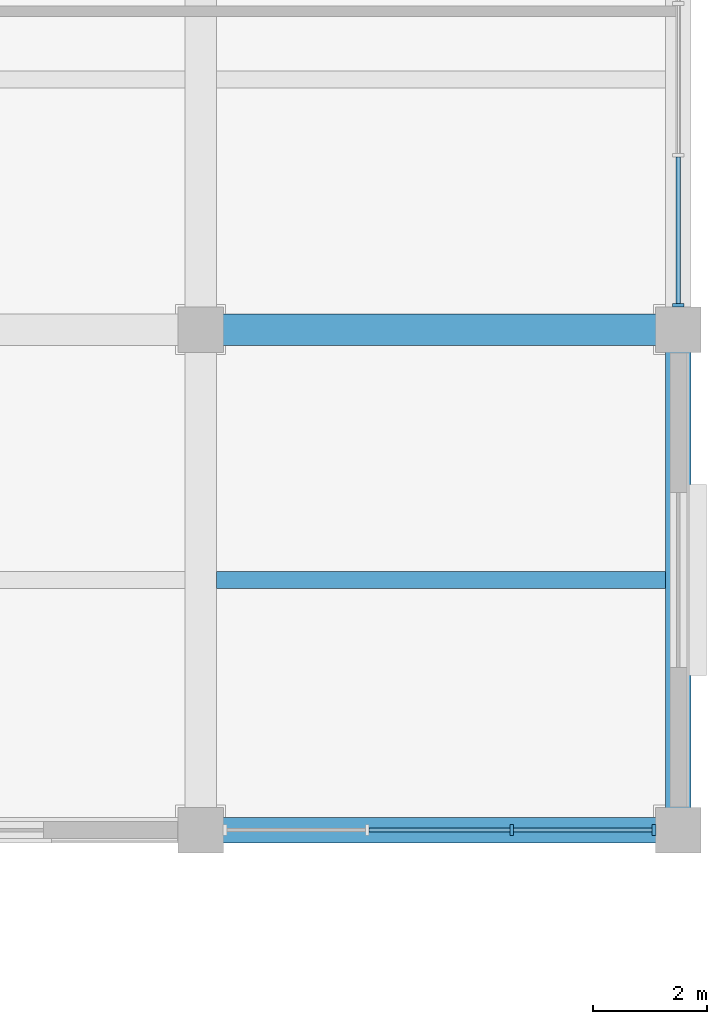
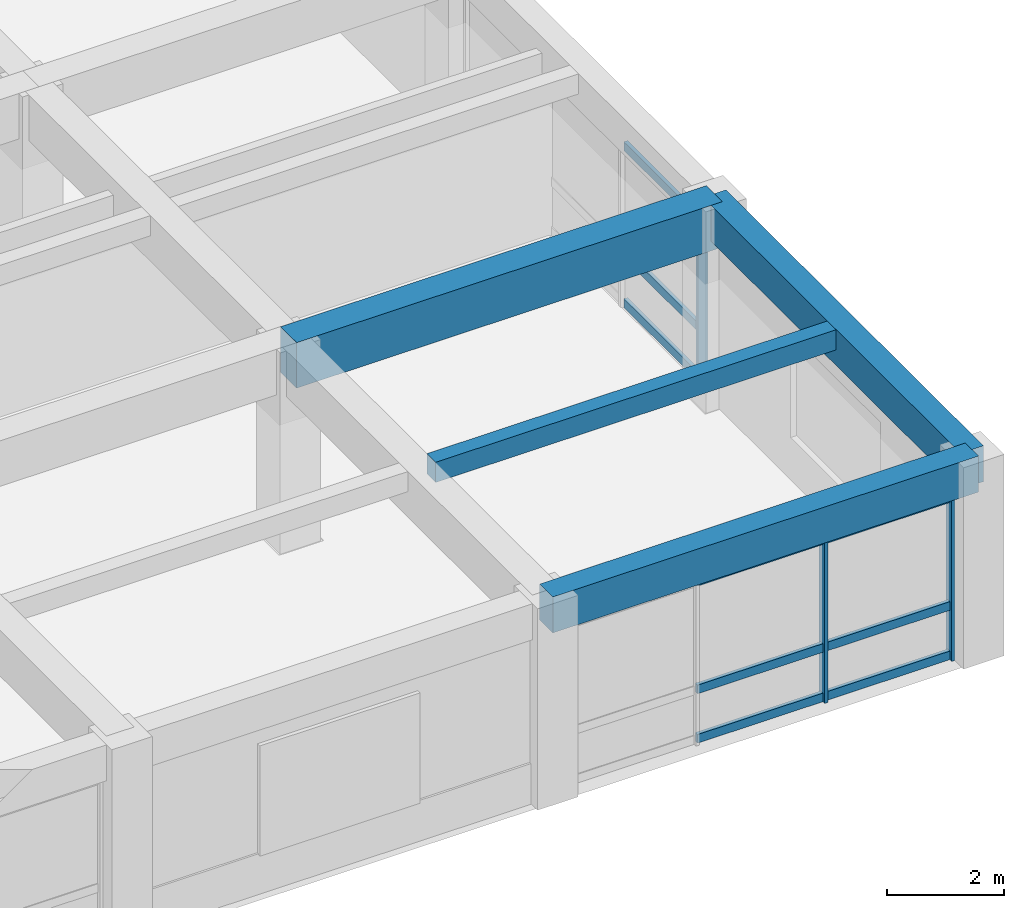
# One storey, part 20 of 46: 12 members, 4 beams, 2 elements without a shape of their own.
"""IFC4 building model written with IfcOpenShell, lengths in metres."""

from ifc_helpers import new_model, si_unit, direction, frame, origin, origin_2d, place, context, subcontext, project, spatial, rectangle, extrude, material, material_profile, profile_set, type_object, element, aggregate, save


model = new_model("IFC4")

# Units and contexts
model_context = context("Model", 3, precision=1e-05, world=origin(), true_north=direction((0.0, 1.0)))
body_context = subcontext(model_context, "Body", "Model", "MODEL_VIEW")
ifc_project = project(units=[si_unit("LENGTHUNIT", "METRE"), si_unit("AREAUNIT", "SQUARE_METRE"), si_unit("VOLUMEUNIT", "CUBIC_METRE"), si_unit("PLANEANGLEUNIT", "RADIAN"), si_unit("MASSUNIT", "GRAM", prefix="KILO")], contexts=[model_context])

# Site, building, storey
site_placement = place(None, origin())
site = spatial("IfcSite", under=ifc_project, at=site_placement, CompositionType="ELEMENT")
building_placement = place(site_placement, origin())
building = spatial("IfcBuilding", under=site, at=building_placement, Name="Kemercrest Conservatory and Botanical Centre", CompositionType="ELEMENT")
storey_placement = place(building_placement, frame((0.0, 0.0, 9.0)))
storey = spatial("IfcBuildingStorey", under=building, at=storey_placement, Name="L02", CompositionType="ELEMENT", Elevation=9.0)

# Beam
ifc_material_1 = material(Name="Concrete C50/60", Category="concrete")
ifc_material_profile_1 = material_profile(ifc_material_1, rectangle(XDim=0.550048828125, YDim=0.949951171875, at=origin_2d()), Name="RC 550x950")
ifc_profile_set_1 = profile_set([ifc_material_profile_1], Name="Concrete C50/60")
beam_type_1 = type_object("IfcBeamType", Name="BM-RC95", PredefinedType="BEAM", material=ifc_profile_set_1)
beam_1_placement = place(storey_placement, frame((167.60009765625, 78.39990234375, 3.72509765625), z_axis=(1.0, 0.0, 0.0), x_axis=(0.0, 1.0, 0.0)))
element("IfcBeam", 1, at=beam_1_placement, inside=storey, type_object=beam_type_1, Name="V4-L03 beam BM-RC95 J/20-21", PredefinedType="BEAM", context=body_context, shape_type="SweptSolid", body=[
    extrude(rectangle(XDim=0.550048828125, YDim=0.949951171875, at=origin_2d()), origin(), (0.0, 0.0, 1.0), 8.39990234375),
])

# Curtain wall, members
ifc_material_2 = material(Name="Thermally broken aluminium and triple low-e glazing", Category="aluminium")
curtain_wall_type_1 = type_object("IfcCurtainWallType", Name="CW-28", PredefinedType="USERDEFINED", material=ifc_material_2)
curtain_wall_1_placement = place(storey_placement, origin())
curtain_wall_1 = element("IfcCurtainWall", 2, at=curtain_wall_1_placement, inside=storey, type_object=curtain_wall_type_1, Name="Unitised curtain wall CW-28 (CW:L02:V4-057)", ObjectType="UNITISED CURTAIN WALL", PredefinedType="USERDEFINED")
ifc_material_3 = material(Name="Thermally broken anodized aluminium 6063-T6", Category="aluminium")
ifc_material_profile_2 = material_profile(ifc_material_3, rectangle(XDim=0.199951171875, YDim=0.06494140625, at=origin_2d()), Name="AL MULLION 65x200")
ifc_profile_set_2 = profile_set([ifc_material_profile_2], Name="Thermally broken anodized aluminium 6063-T6")
member_type_1 = type_object("IfcMemberType", Name="CW-M200", PredefinedType="MULLION", material=ifc_profile_set_2)
member_1_placement = place(storey_placement, frame((173.068359375, 69.60009765625, 0.0), z_axis=(0.0, 0.0, 1.0), x_axis=(0.0, 1.0, 0.0)))
member_1 = element("IfcMember", 3, at=member_1_placement, type_object=member_type_1, Name="CW-28 mullion 3", PredefinedType="MULLION", context=body_context, shape_type="SweptSolid", body=[
    extrude(rectangle(XDim=0.199951171875, YDim=0.06494140625, at=origin_2d()), origin(), (0.0, 0.0, 1.0), 3.455078125),
])
member_2_placement = place(storey_placement, frame((175.572509765625, 69.60009765625, 0.0), z_axis=(0.0, 0.0, 1.0), x_axis=(0.0, 1.0, 0.0)))
member_2 = element("IfcMember", 4, at=member_2_placement, type_object=member_type_1, Name="CW-28 mullion 4", PredefinedType="MULLION", context=body_context, shape_type="SweptSolid", body=[
    extrude(rectangle(XDim=0.199951171875, YDim=0.06494140625, at=origin_2d()), origin(), (0.0, 0.0, 1.0), 3.455078125),
])

# Curtain wall, member
curtain_wall_type_2 = type_object("IfcCurtainWallType", Name="CW-29", PredefinedType="USERDEFINED", material=ifc_material_2)
curtain_wall_2_placement = place(storey_placement, origin())
curtain_wall_2 = element("IfcCurtainWall", 5, at=curtain_wall_2_placement, inside=storey, type_object=curtain_wall_type_2, Name="Unitised curtain wall CW-29 (CW:L02:V4-058)", ObjectType="UNITISED CURTAIN WALL", PredefinedType="USERDEFINED")
member_3_placement = place(storey_placement, frame((176.0, 78.827392578125, 0.0), z_axis=(0.0, 0.0, 1.0), x_axis=(-1.0, 0.0, 0.0)))
member_3 = element("IfcMember", 6, at=member_3_placement, type_object=member_type_1, Name="CW-29 mullion 1", PredefinedType="MULLION", context=body_context, shape_type="SweptSolid", body=[
    extrude(rectangle(XDim=0.199951171875, YDim=0.06494140625, at=origin_2d()), origin(), (0.0, 0.0, 1.0), 3.455078125),
])

# Member
ifc_material_profile_3 = material_profile(ifc_material_3, rectangle(XDim=0.074951171875, YDim=0.179931640625, at=origin_2d()), Name="AL TRANSOM 75x180")
ifc_profile_set_3 = profile_set([ifc_material_profile_3], Name="Thermally broken anodized aluminium 6063-T6")
member_type_2 = type_object("IfcMemberType", Name="CW-T180", PredefinedType="USERDEFINED", material=ifc_profile_set_3)
member_4_placement = place(storey_placement, frame((170.564208984375, 69.60009765625, 0.090087890625), z_axis=(1.0, 0.0, 0.0), x_axis=(0.0, 1.0, 0.0)))
member_4 = element("IfcMember", 7, at=member_4_placement, type_object=member_type_2, Name="CW-28 transom 2.1", ObjectType="TRANSOM", PredefinedType="USERDEFINED", context=body_context, shape_type="SweptSolid", body=[
    extrude(rectangle(XDim=0.074951171875, YDim=0.179931640625, at=origin_2d()), origin(), (0.0, 0.0, 1.0), 2.4716796875),
])

member_5_placement = place(storey_placement, frame((170.564208984375, 69.60009765625, 1.1201171875), z_axis=(1.0, 0.0, 0.0), x_axis=(0.0, 1.0, 0.0)))
member_5 = element("IfcMember", 8, at=member_5_placement, type_object=member_type_2, Name="CW-28 transom 2.2", ObjectType="TRANSOM", PredefinedType="USERDEFINED", context=body_context, shape_type="SweptSolid", body=[
    extrude(rectangle(XDim=0.074951171875, YDim=0.179931640625, at=origin_2d()), origin(), (0.0, 0.0, 1.0), 2.4716796875),
])

member_6_placement = place(storey_placement, frame((170.564208984375, 69.60009765625, 3.364990234375), z_axis=(1.0, 0.0, 0.0), x_axis=(0.0, 1.0, 0.0)))
member_6 = element("IfcMember", 9, at=member_6_placement, type_object=member_type_2, Name="CW-28 transom 2.3", ObjectType="TRANSOM", PredefinedType="USERDEFINED", context=body_context, shape_type="SweptSolid", body=[
    extrude(rectangle(XDim=0.074951171875, YDim=0.179931640625, at=origin_2d()), origin(), (0.0, 0.0, 1.0), 2.4716796875),
])

member_7_placement = place(storey_placement, frame((173.100830078125, 69.60009765625, 0.090087890625), z_axis=(1.0, 0.0, 0.0), x_axis=(0.0, 1.0, 0.0)))
member_7 = element("IfcMember", 10, at=member_7_placement, type_object=member_type_2, Name="CW-28 transom 3.1", ObjectType="TRANSOM", PredefinedType="USERDEFINED", context=body_context, shape_type="SweptSolid", body=[
    extrude(rectangle(XDim=0.074951171875, YDim=0.179931640625, at=origin_2d()), origin(), (0.0, 0.0, 1.0), 2.439208984375),
])

member_8_placement = place(storey_placement, frame((173.100830078125, 69.60009765625, 1.1201171875), z_axis=(1.0, 0.0, 0.0), x_axis=(0.0, 1.0, 0.0)))
member_8 = element("IfcMember", 11, at=member_8_placement, type_object=member_type_2, Name="CW-28 transom 3.2", ObjectType="TRANSOM", PredefinedType="USERDEFINED", context=body_context, shape_type="SweptSolid", body=[
    extrude(rectangle(XDim=0.074951171875, YDim=0.179931640625, at=origin_2d()), origin(), (0.0, 0.0, 1.0), 2.439208984375),
])

member_9_placement = place(storey_placement, frame((173.100830078125, 69.60009765625, 3.364990234375), z_axis=(1.0, 0.0, 0.0), x_axis=(0.0, 1.0, 0.0)))
member_9 = element("IfcMember", 12, at=member_9_placement, type_object=member_type_2, Name="CW-28 transom 3.3", ObjectType="TRANSOM", PredefinedType="USERDEFINED", context=body_context, shape_type="SweptSolid", body=[
    extrude(rectangle(XDim=0.074951171875, YDim=0.179931640625, at=origin_2d()), origin(), (0.0, 0.0, 1.0), 2.439208984375),
])

aggregate(curtain_wall_1, [member_1, member_2, member_4, member_5, member_6, member_7, member_8, member_9])

member_10_placement = place(storey_placement, frame((176.0, 78.860107421875, 0.090087890625), z_axis=(0.0, 1.0, 0.0), x_axis=(-1.0, 0.0, 0.0)))
member_10 = element("IfcMember", 13, at=member_10_placement, type_object=member_type_2, Name="CW-29 transom 1.1", ObjectType="TRANSOM", PredefinedType="USERDEFINED", context=body_context, shape_type="SweptSolid", body=[
    extrude(rectangle(XDim=0.074951171875, YDim=0.179931640625, at=origin_2d()), origin(), (0.0, 0.0, 1.0), 2.572509765625),
])

member_11_placement = place(storey_placement, frame((176.0, 78.860107421875, 1.1201171875), z_axis=(0.0, 1.0, 0.0), x_axis=(-1.0, 0.0, 0.0)))
member_11 = element("IfcMember", 14, at=member_11_placement, type_object=member_type_2, Name="CW-29 transom 1.2", ObjectType="TRANSOM", PredefinedType="USERDEFINED", context=body_context, shape_type="SweptSolid", body=[
    extrude(rectangle(XDim=0.074951171875, YDim=0.179931640625, at=origin_2d()), origin(), (0.0, 0.0, 1.0), 2.572509765625),
])

member_12_placement = place(storey_placement, frame((176.0, 78.860107421875, 3.364990234375), z_axis=(0.0, 1.0, 0.0), x_axis=(-1.0, 0.0, 0.0)))
member_12 = element("IfcMember", 15, at=member_12_placement, type_object=member_type_2, Name="CW-29 transom 1.3", ObjectType="TRANSOM", PredefinedType="USERDEFINED", context=body_context, shape_type="SweptSolid", body=[
    extrude(rectangle(XDim=0.074951171875, YDim=0.179931640625, at=origin_2d()), origin(), (0.0, 0.0, 1.0), 2.572509765625),
])

aggregate(curtain_wall_2, [member_3, member_10, member_11, member_12])

# Beams
ifc_material_4 = material(Name="Concrete C40/50", Category="concrete")
ifc_material_profile_4 = material_profile(ifc_material_4, rectangle(XDim=0.300048828125, YDim=0.419921875, at=origin_2d()), Name="RC 300x420")
ifc_profile_set_4 = profile_set([ifc_material_profile_4], Name="Concrete C40/50")
beam_type_2 = type_object("IfcBeamType", Name="JS-RC42", PredefinedType="JOIST", material=ifc_profile_set_4)
beam_2_placement = place(storey_placement, frame((167.875, 74.0, 3.989990234375), z_axis=(1.0, 0.0, 0.0), x_axis=(0.0, 1.0, 0.0)))
element("IfcBeam", 16, at=beam_2_placement, inside=storey, type_object=beam_type_2, Name="V4-L03 secondary joist JS-RC42", PredefinedType="JOIST", context=body_context, shape_type="SweptSolid", body=[
    extrude(rectangle(XDim=0.300048828125, YDim=0.419921875, at=origin_2d()), origin(), (0.0, 0.0, 1.0), 7.89990234375),
])
ifc_material_profile_5 = material_profile(ifc_material_4, rectangle(XDim=0.449951171875, YDim=0.75, at=origin_2d()), Name="RC 450x750")
ifc_profile_set_5 = profile_set([ifc_material_profile_5], Name="Concrete C40/50")
beam_type_3 = type_object("IfcBeamType", Name="SP-RC75", PredefinedType="SPANDREL", material=ifc_profile_set_5)
beam_3_placement = place(storey_placement, frame((167.60009765625, 69.60009765625, 3.824951171875), z_axis=(1.0, 0.0, 0.0), x_axis=(0.0, 1.0, 0.0)))
element("IfcBeam", 17, at=beam_3_placement, inside=storey, type_object=beam_type_3, Name="V4-L03 beam SP-RC75 H/20-21", PredefinedType="SPANDREL", context=body_context, shape_type="SweptSolid", body=[
    extrude(rectangle(XDim=0.449951171875, YDim=0.75, at=origin_2d()), origin(), (0.0, 0.0, 1.0), 8.39990234375),
])
beam_4_placement = place(storey_placement, frame((176.0, 69.60009765625, 3.824951171875), z_axis=(0.0, 1.0, 0.0), x_axis=(-1.0, 0.0, 0.0)))
element("IfcBeam", 18, at=beam_4_placement, inside=storey, type_object=beam_type_3, Name="V4-L03 beam SP-RC75 21/H-J", PredefinedType="SPANDREL", context=body_context, shape_type="SweptSolid", body=[
    extrude(rectangle(XDim=0.449951171875, YDim=0.75, at=origin_2d()), origin(), (0.0, 0.0, 1.0), 8.7998046875),
])

save(model, "model.ifc")
